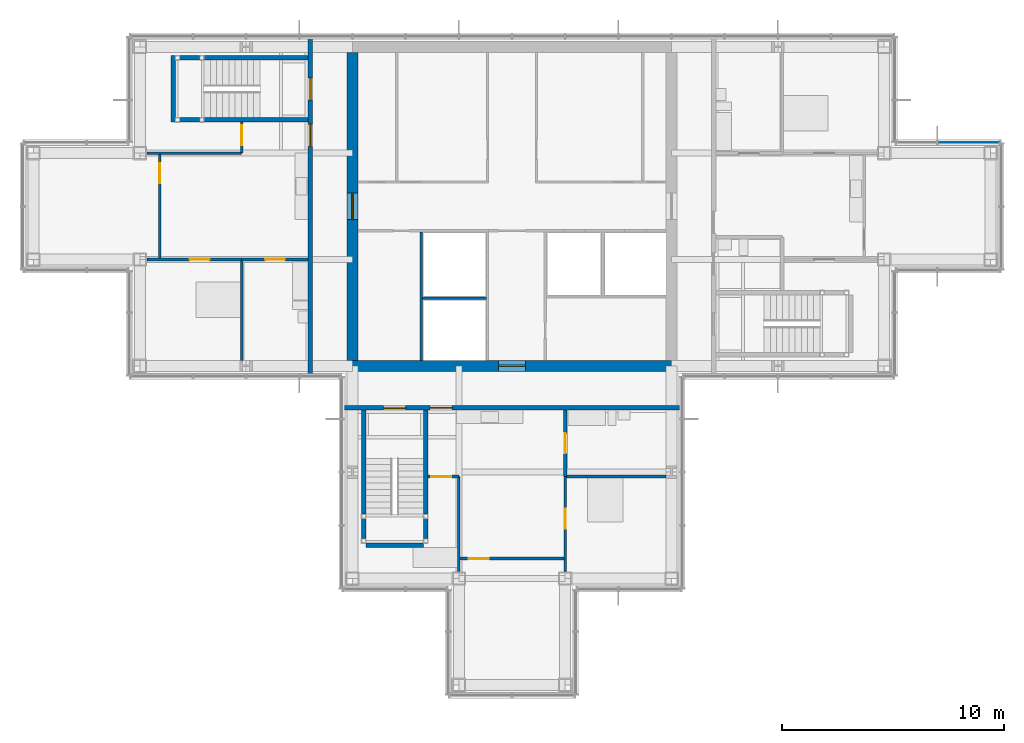
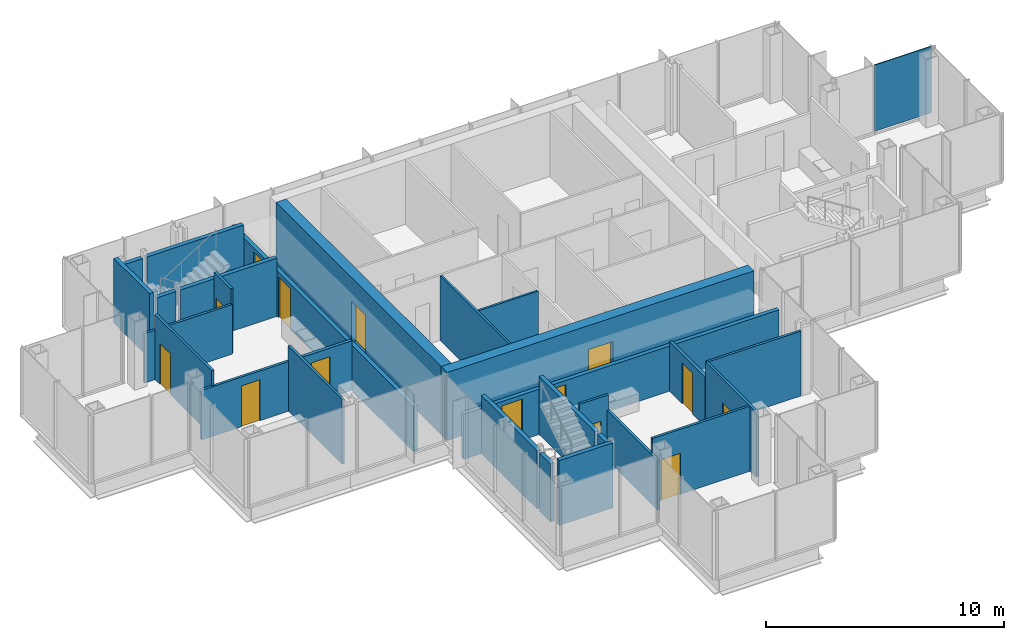
# One storey, part 10 of 15: 28 walls, 14 doors, 1 plate, 14 openings, 1 element without a shape of its own.
"""IFC4 building model written with IfcOpenShell, lengths in metres."""

from ifc_helpers import new_model, si_unit, direction, frame, frame_2d, origin, origin_2d, place, context, subcontext, project, spatial, rectangle, extrude, material, layer, layer_set, type_object, element, fill, aggregate, save


model = new_model("IFC4")

# Units and contexts
model_context = context("Model", 3, precision=1e-05, world=origin(), true_north=direction((0.0, 1.0)))
body_context = subcontext(model_context, "Body", "Model", "MODEL_VIEW")
ifc_project = project(units=[si_unit("LENGTHUNIT", "METRE"), si_unit("AREAUNIT", "SQUARE_METRE"), si_unit("VOLUMEUNIT", "CUBIC_METRE"), si_unit("PLANEANGLEUNIT", "RADIAN"), si_unit("MASSUNIT", "GRAM", prefix="KILO")], contexts=[model_context])

# Site, building, storey
site_placement = place(None, origin())
site = spatial("IfcSite", under=ifc_project, at=site_placement, CompositionType="ELEMENT")
building_placement = place(site_placement, origin())
building = spatial("IfcBuilding", under=site, at=building_placement, Name="Kvirike Care Tower", CompositionType="ELEMENT")
storey_placement = place(building_placement, frame((0.0, 0.0, 201.5)))
storey = spatial("IfcBuildingStorey", under=building, at=storey_placement, Name="L55", CompositionType="ELEMENT", Elevation=201.5)

# Curtain wall, plate
ifc_material_1 = material(Name="Anodised aluminium stick system", Category="aluminium")
curtain_wall_type = type_object("IfcCurtainWallType", Name="CW-D STICK CURTAIN WALL", PredefinedType="NOTDEFINED", material=ifc_material_1)
curtain_wall_placement = place(storey_placement, origin())
curtain_wall = element("IfcCurtainWall", 1, at=curtain_wall_placement, inside=storey, type_object=curtain_wall_type, Name="Curtain wall L55 face 5", PredefinedType="NOTDEFINED")
ifc_material_2 = material(Name="Tinted double glazed unit", Category="glass")
ifc_layer_1 = layer(ifc_material_2, 0.0439453125)
ifc_layer_set_1 = layer_set([ifc_layer_1], Name="TINTED VISION PANEL 44")
plate_type = type_object("IfcPlateType", Name="TINTED VISION PANEL 44", PredefinedType="CURTAIN_PANEL", material=ifc_layer_set_1)
plate_placement = place(storey_placement, frame((42.2236328125, 38.8798828125, 0.10009765625), z_axis=(0.0, 0.0, 1.0), x_axis=(-1.0, 0.0, 0.0)))
plate = element("IfcPlate", 2, at=plate_placement, type_object=plate_type, Name="CW-D panel L55 face 5.1", PredefinedType="CURTAIN_PANEL", context=body_context, shape_type="SweptSolid", body=[
    extrude(rectangle(XDim=2.782470703125, YDim=0.0439453125, at=origin_2d()), origin(), (0.0, 0.0, 1.0), 3.39990234375),
])
aggregate(curtain_wall, [plate])

# Wall, opening, door
ifc_material_3 = material(Name="Moisture-resistant board partition", Category="gypsum")
ifc_layer_2 = layer(ifc_material_3, 0.14990234375)
ifc_layer_set_2 = layer_set([ifc_layer_2], Name="BATHROOM WALL 150")
wall_type_1 = type_object("IfcWallType", Name="BATHROOM WALL 150", PredefinedType="PARTITIONING", material=ifc_layer_set_2)
wall_1_placement = place(storey_placement, frame((9.39990234375, 33.60009765625, 0.0), z_axis=(0.0, 0.0, 1.0), x_axis=(1.0, 0.0, 0.0)))
wall_1 = element("IfcWall", 3, at=wall_1_placement, inside=storey, type_object=wall_type_1, Name="Bathroom Wall 150 L55", PredefinedType="PARTITIONING", context=body_context, shape_type="SweptSolid", body=[
    extrude(rectangle(XDim=3.0, YDim=0.14990234375, at=frame_2d((1.5, 0.0))), origin(), (0.0, 0.0, 1.0), 2.550048828125),
])
opening_1_placement = place(wall_1_placement, frame((1.050048828125, 0.0, 0.0)))
opening_1 = element("IfcOpeningElement", 4, at=opening_1_placement, cuts=wall_1, Name="Opening 55-001", PredefinedType="OPENING", context=body_context, shape_type="SweptSolid", body=[
    extrude(rectangle(XDim=0.89990234375, YDim=2.10009765625, at=frame_2d((0.449951171875, 1.050048828125))), frame((0.0, 0.08544921875, 0.0), z_axis=(0.0, -1.0, 0.0), x_axis=(1.0, 0.0, 0.0)), (0.0, 0.0, 1.0), 0.1708984375),
])
ifc_material_4 = material(Name="Timber door set", Category="wood")
door_type_1 = type_object("IfcDoorType", Name="BATHROOM DOOR 900", OperationType="SINGLE_SWING_RIGHT", PredefinedType="DOOR", material=ifc_material_4)
door_1_placement = place(opening_1_placement, frame((0.89990234375, 0.0, 0.0), z_axis=(0.0, 0.0, 1.0), x_axis=(-1.0, 0.0, 0.0)))
door_1 = element("IfcDoor", 5, at=door_1_placement, inside=storey, type_object=door_type_1, Name="Bathroom door", OperationType="SINGLE_SWING_RIGHT", OverallHeight=2.10009765625, OverallWidth=0.89990234375, PredefinedType="DOOR", context=body_context, shape_type="SweptSolid", body=[
    extrude(rectangle(XDim=0.89990234375, YDim=2.10009765625, at=frame_2d((0.449951171875, 1.050048828125))), frame((0.0, 0.02197265625, 0.0), z_axis=(0.0, -1.0, 0.0), x_axis=(1.0, 0.0, 0.0)), (0.0, 0.0, 1.0), 0.0439453125),
])
fill(opening_1, door_1)

wall_2_placement = place(storey_placement, frame((24.0, 23.800048828125, 0.0), z_axis=(0.0, 0.0, 1.0), x_axis=(0.0, 1.0, 0.0)))
wall_2 = element("IfcWall", 6, at=wall_2_placement, inside=storey, type_object=wall_type_1, Name="Bathroom Wall 150 L55", PredefinedType="PARTITIONING", context=body_context, shape_type="SweptSolid", body=[
    extrude(rectangle(XDim=3.0, YDim=0.14990234375, at=frame_2d((1.5, 0.0))), origin(), (0.0, 0.0, 1.0), 2.550048828125),
])
opening_2_placement = place(wall_2_placement, frame((1.050048828125, 0.0, 0.0)))
opening_2 = element("IfcOpeningElement", 7, at=opening_2_placement, cuts=wall_2, Name="Opening 55-007", PredefinedType="OPENING", context=body_context, shape_type="SweptSolid", body=[
    extrude(rectangle(XDim=0.89990234375, YDim=2.10009765625, at=frame_2d((0.449951171875, 1.050048828125))), frame((0.0, 0.08544921875, 0.0), z_axis=(0.0, -1.0, 0.0), x_axis=(1.0, 0.0, 0.0)), (0.0, 0.0, 1.0), 0.1708984375),
])
door_2_placement = place(opening_2_placement, frame((0.89990234375, 0.0, 0.0), z_axis=(0.0, 0.0, 1.0), x_axis=(-1.0, 0.0, 0.0)))
door_2 = element("IfcDoor", 8, at=door_2_placement, inside=storey, type_object=door_type_1, Name="Bathroom door", OperationType="SINGLE_SWING_LEFT", OverallHeight=2.10009765625, OverallWidth=0.89990234375, PredefinedType="DOOR", context=body_context, shape_type="SweptSolid", body=[
    extrude(rectangle(XDim=0.89990234375, YDim=2.10009765625, at=frame_2d((0.449951171875, 1.050048828125))), frame((0.0, 0.02197265625, 0.0), z_axis=(0.0, -1.0, 0.0), x_axis=(1.0, 0.0, 0.0)), (0.0, 0.0, 1.0), 0.0439453125),
])
fill(opening_2, door_2)

ifc_material_5 = material(Name="Concrete C40/50", Category="concrete")
ifc_layer_3 = layer(ifc_material_5, 0.5)
ifc_layer_set_3 = layer_set([ifc_layer_3], Name="CORE WALL 500 C40-50")
wall_type_2 = type_object("IfcWallType", Name="CORE WALL 500 C40-50", PredefinedType="SHEAR", material=ifc_layer_set_3)
wall_3_placement = place(storey_placement, frame((14.14990234375, 28.800048828125, -0.169921875), z_axis=(0.0, 0.0, 1.0), x_axis=(1.0, 0.0, 0.0)))
wall_3 = element("IfcWall", 9, at=wall_3_placement, inside=storey, type_object=wall_type_2, Name="Core wall S L55", PredefinedType="SHEAR", context=body_context, shape_type="SweptSolid", body=[
    extrude(rectangle(XDim=14.900146484375, YDim=0.5, at=frame_2d((7.4501953125, 0.0))), origin(), (0.0, 0.0, 1.0), 3.5),
])
opening_3_placement = place(wall_3_placement, frame((6.85009765625, 0.0, 0.169921875)))
opening_3 = element("IfcOpeningElement", 10, at=opening_3_placement, cuts=wall_3, Name="Opening 55-033", PredefinedType="OPENING", context=body_context, shape_type="SweptSolid", body=[
    extrude(rectangle(XDim=1.199951171875, YDim=2.10009765625, at=frame_2d((0.60009765625, 1.050048828125))), frame((0.0, 0.260498046875, 0.0), z_axis=(0.0, -1.0, 0.0), x_axis=(1.0, 0.0, 0.0)), (0.0, 0.0, 1.0), 0.52099609375),
])
ifc_material_6 = material(Name="Timber door set", Category="wood")
door_type_2 = type_object("IfcDoorType", Name="CORE DOOR 1200", OperationType="SINGLE_SWING_LEFT", PredefinedType="DOOR", material=ifc_material_6)
door_3_placement = place(opening_3_placement, origin())
door_3 = element("IfcDoor", 11, at=door_3_placement, inside=storey, type_object=door_type_2, Name="Core door S L55", OperationType="SINGLE_SWING_LEFT", OverallHeight=2.10009765625, OverallWidth=1.199951171875, PredefinedType="DOOR", context=body_context, shape_type="SweptSolid", body=[
    extrude(rectangle(XDim=1.199951171875, YDim=2.10009765625, at=frame_2d((0.60009765625, 1.050048828125))), frame((0.0, 0.02685546875, 0.0), z_axis=(0.0, -1.0, 0.0), x_axis=(1.0, 0.0, 0.0)), (0.0, 0.0, 1.0), 0.053955078125),
])
fill(opening_3, door_3)

wall_4_placement = place(storey_placement, frame((14.39990234375, 42.949951171875, -0.169921875), z_axis=(0.0, 0.0, 1.0), x_axis=(0.0, -1.0, 0.0)))
wall_4 = element("IfcWall", 12, at=wall_4_placement, inside=storey, type_object=wall_type_2, Name="Core wall W L55", PredefinedType="SHEAR", context=body_context, shape_type="SweptSolid", body=[
    extrude(rectangle(XDim=13.89990234375, YDim=0.5, at=frame_2d((6.949951171875, 0.0))), origin(), (0.0, 0.0, 1.0), 3.5),
])
opening_4_placement = place(wall_4_placement, frame((6.35009765625, 0.0, 0.169921875)))
opening_4 = element("IfcOpeningElement", 13, at=opening_4_placement, cuts=wall_4, Name="Opening 55-034", PredefinedType="OPENING", context=body_context, shape_type="SweptSolid", body=[
    extrude(rectangle(XDim=1.199951171875, YDim=2.10009765625, at=frame_2d((0.60009765625, 1.050048828125))), frame((0.0, 0.260498046875, 0.0), z_axis=(0.0, -1.0, 0.0), x_axis=(1.0, 0.0, 0.0)), (0.0, 0.0, 1.0), 0.52099609375),
])
door_4_placement = place(opening_4_placement, origin())
door_4 = element("IfcDoor", 14, at=door_4_placement, inside=storey, type_object=door_type_2, Name="Core door W L55", OperationType="SINGLE_SWING_LEFT", OverallHeight=2.10009765625, OverallWidth=1.199951171875, PredefinedType="DOOR", context=body_context, shape_type="SweptSolid", body=[
    extrude(rectangle(XDim=1.199951171875, YDim=2.10009765625, at=frame_2d((0.60009765625, 1.050048828125))), frame((0.0, 0.02685546875, 0.0), z_axis=(0.0, -1.0, 0.0), x_axis=(1.0, 0.0, 0.0)), (0.0, 0.0, 1.0), 0.053955078125),
])
fill(opening_4, door_4)

# Wall, openings, doors
ifc_material_7 = material(Name="Plasterboard corridor wall", Category="gypsum")
ifc_layer_4 = layer(ifc_material_7, 0.199951171875)
ifc_layer_set_4 = layer_set([ifc_layer_4], Name="CORRIDOR WALL 200")
wall_type_3 = type_object("IfcWallType", Name="CORRIDOR WALL 200", PredefinedType="PARTITIONING", material=ifc_layer_set_4)
wall_5_placement = place(storey_placement, frame((12.5, 43.655029296875, 0.0), z_axis=(0.0, 0.0, 1.0), x_axis=(0.0, -1.0, 0.0)))
wall_5 = element("IfcWall", 15, at=wall_5_placement, inside=storey, type_object=wall_type_3, Name="Corridor Wall 200 L55", PredefinedType="PARTITIONING", context=body_context, shape_type="SweptSolid", body=[
    extrude(rectangle(XDim=15.31005859375, YDim=0.199951171875, at=frame_2d((7.655029296875, 0.0))), origin(), (0.0, 0.0, 1.0), 2.320068359375),
])
opening_5_placement = place(wall_5_placement, frame((1.85498046875, 0.0, 0.0)))
opening_5 = element("IfcOpeningElement", 16, at=opening_5_placement, cuts=wall_5, Name="Opening 55-005", PredefinedType="OPENING", context=body_context, shape_type="SweptSolid", body=[
    extrude(rectangle(XDim=1.0, YDim=2.10009765625, at=frame_2d((0.5, 1.050048828125))), frame((0.0, 0.110595703125, 0.0), z_axis=(0.0, -1.0, 0.0), x_axis=(1.0, 0.0, 0.0)), (0.0, 0.0, 1.0), 0.220947265625),
])
opening_6_placement = place(wall_5_placement, frame((3.955078125, 0.0, 0.0)))
opening_6 = element("IfcOpeningElement", 17, at=opening_6_placement, cuts=wall_5, Name="Opening 55-006", PredefinedType="OPENING", context=body_context, shape_type="SweptSolid", body=[
    extrude(rectangle(XDim=1.0, YDim=2.10009765625, at=frame_2d((0.5, 1.050048828125))), frame((0.0, 0.110595703125, 0.0), z_axis=(0.0, -1.0, 0.0), x_axis=(1.0, 0.0, 0.0)), (0.0, 0.0, 1.0), 0.220947265625),
])
ifc_material_8 = material(Name="Timber door set", Category="wood")
door_type_3 = type_object("IfcDoorType", Name="FLAT ENTRANCE DOOR 1000", OperationType="SINGLE_SWING_LEFT", PredefinedType="DOOR", material=ifc_material_8)
door_5_placement = place(opening_6_placement, frame((1.0, 0.0, 0.0), z_axis=(0.0, 0.0, 1.0), x_axis=(-1.0, 0.0, 0.0)))
door_5 = element("IfcDoor", 18, at=door_5_placement, inside=storey, type_object=door_type_3, Name="Two-room apartment entrance", OperationType="SINGLE_SWING_LEFT", OverallHeight=2.10009765625, OverallWidth=1.0, PredefinedType="DOOR", context=body_context, shape_type="SweptSolid", body=[
    extrude(rectangle(XDim=1.0, YDim=2.10009765625, at=frame_2d((0.5, 1.050048828125))), frame((0.0, 0.02685546875, 0.0), z_axis=(0.0, -1.0, 0.0), x_axis=(1.0, 0.0, 0.0)), (0.0, 0.0, 1.0), 0.053955078125),
])
fill(opening_6, door_5)
ifc_material_9 = material(Name="Timber door set", Category="wood")
door_type_4 = type_object("IfcDoorType", Name="STAIR DOOR 1000", OperationType="SINGLE_SWING_LEFT", PredefinedType="DOOR", material=ifc_material_9)
door_6_placement = place(opening_5_placement, frame((1.0, 0.0, 0.0), z_axis=(0.0, 0.0, 1.0), x_axis=(-1.0, 0.0, 0.0)))
door_6 = element("IfcDoor", 19, at=door_6_placement, inside=storey, type_object=door_type_4, Name="Stair 1 door", OperationType="SINGLE_SWING_LEFT", OverallHeight=2.10009765625, OverallWidth=1.0, PredefinedType="DOOR", context=body_context, shape_type="SweptSolid", body=[
    extrude(rectangle(XDim=1.0, YDim=2.10009765625, at=frame_2d((0.5, 1.050048828125))), frame((0.0, 0.031982421875, 0.0), z_axis=(0.0, -1.0, 0.0), x_axis=(1.0, 0.0, 0.0)), (0.0, 0.0, 1.0), 0.06396484375),
])
fill(opening_5, door_6)

wall_6_placement = place(storey_placement, frame((13.945068359375, 26.89990234375, 0.0), z_axis=(0.0, 0.0, 1.0), x_axis=(1.0, 0.0, 0.0)))
wall_6 = element("IfcWall", 20, at=wall_6_placement, inside=storey, type_object=wall_type_3, Name="Corridor Wall 200 L55", PredefinedType="PARTITIONING", context=body_context, shape_type="SweptSolid", body=[
    extrude(rectangle(XDim=15.309814453125, YDim=0.199951171875, at=frame_2d((7.65478515625, 0.0))), origin(), (0.0, 0.0, 1.0), 2.320068359375),
])
opening_7_placement = place(wall_6_placement, frame((1.85498046875, 0.0, 0.0)))
opening_7 = element("IfcOpeningElement", 21, at=opening_7_placement, cuts=wall_6, Name="Opening 55-011", PredefinedType="OPENING", context=body_context, shape_type="SweptSolid", body=[
    extrude(rectangle(XDim=1.0, YDim=2.10009765625, at=frame_2d((0.5, 1.050048828125))), frame((0.0, 0.110595703125, 0.0), z_axis=(0.0, -1.0, 0.0), x_axis=(1.0, 0.0, 0.0)), (0.0, 0.0, 1.0), 0.220947265625),
])
opening_8_placement = place(wall_6_placement, frame((3.955078125, 0.0, 0.0)))
opening_8 = element("IfcOpeningElement", 22, at=opening_8_placement, cuts=wall_6, Name="Opening 55-012", PredefinedType="OPENING", context=body_context, shape_type="SweptSolid", body=[
    extrude(rectangle(XDim=1.0, YDim=2.10009765625, at=frame_2d((0.5, 1.050048828125))), frame((0.0, 0.110595703125, 0.0), z_axis=(0.0, -1.0, 0.0), x_axis=(1.0, 0.0, 0.0)), (0.0, 0.0, 1.0), 0.220947265625),
])
door_7_placement = place(opening_8_placement, frame((1.0, 0.0, 0.0), z_axis=(0.0, 0.0, 1.0), x_axis=(-1.0, 0.0, 0.0)))
door_7 = element("IfcDoor", 23, at=door_7_placement, inside=storey, type_object=door_type_3, Name="Two-bedroom apartment entrance", OperationType="SINGLE_SWING_LEFT", OverallHeight=2.10009765625, OverallWidth=1.0, PredefinedType="DOOR", context=body_context, shape_type="SweptSolid", body=[
    extrude(rectangle(XDim=1.0, YDim=2.10009765625, at=frame_2d((0.5, 1.050048828125))), frame((0.0, 0.02685546875, 0.0), z_axis=(0.0, -1.0, 0.0), x_axis=(1.0, 0.0, 0.0)), (0.0, 0.0, 1.0), 0.053955078125),
])
fill(opening_8, door_7)
door_8_placement = place(opening_7_placement, frame((1.0, 0.0, 0.0), z_axis=(0.0, 0.0, 1.0), x_axis=(-1.0, 0.0, 0.0)))
door_8 = element("IfcDoor", 24, at=door_8_placement, inside=storey, type_object=door_type_4, Name="Stair 5 door", OperationType="SINGLE_SWING_LEFT", OverallHeight=2.10009765625, OverallWidth=1.0, PredefinedType="DOOR", context=body_context, shape_type="SweptSolid", body=[
    extrude(rectangle(XDim=1.0, YDim=2.10009765625, at=frame_2d((0.5, 1.050048828125))), frame((0.0, 0.031982421875, 0.0), z_axis=(0.0, -1.0, 0.0), x_axis=(1.0, 0.0, 0.0)), (0.0, 0.0, 1.0), 0.06396484375),
])
fill(opening_7, door_8)

# Wall, opening, door
ifc_material_10 = material(Name="Plasterboard partition", Category="gypsum")
ifc_layer_5 = layer(ifc_material_10, 0.1201171875)
ifc_layer_set_5 = layer_set([ifc_layer_5], Name="PARTITION 120")
wall_type_4 = type_object("IfcWallType", Name="PARTITION 120", PredefinedType="PARTITIONING", material=ifc_layer_set_5)
wall_7_placement = place(storey_placement, frame((9.39990234375, 39.800048828125, 0.0), z_axis=(0.0, 0.0, 1.0), x_axis=(0.0, -1.0, 0.0)))
wall_7 = element("IfcWall", 25, at=wall_7_placement, inside=storey, type_object=wall_type_4, Name="Partition 120 L55", PredefinedType="PARTITIONING", context=body_context, shape_type="SweptSolid", body=[
    extrude(rectangle(XDim=1.400146484375, YDim=0.1201171875, at=frame_2d((0.7001953125, 0.0))), origin(), (0.0, 0.0, 1.0), 3.330078125),
])
opening_9_placement = place(wall_7_placement, frame((0.14990234375, 0.0, 0.0)))
opening_9 = element("IfcOpeningElement", 26, at=opening_9_placement, cuts=wall_7, Name="Opening 55-002", PredefinedType="OPENING", context=body_context, shape_type="SweptSolid", body=[
    extrude(rectangle(XDim=0.89990234375, YDim=2.10009765625, at=frame_2d((0.449951171875, 1.050048828125))), frame((0.0, 0.070556640625, 0.0), z_axis=(0.0, -1.0, 0.0), x_axis=(1.0, 0.0, 0.0)), (0.0, 0.0, 1.0), 0.14111328125),
])
ifc_material_11 = material(Name="Timber door set", Category="wood")
door_type_5 = type_object("IfcDoorType", Name="INTERNAL DOOR 900", OperationType="SINGLE_SWING_LEFT", PredefinedType="DOOR", material=ifc_material_11)
door_9_placement = place(opening_9_placement, frame((0.89990234375, 0.0, 0.0), z_axis=(0.0, 0.0, 1.0), x_axis=(-1.0, 0.0, 0.0)))
door_9 = element("IfcDoor", 27, at=door_9_placement, inside=storey, type_object=door_type_5, Name="Apartment study door", OperationType="SINGLE_SWING_LEFT", OverallHeight=2.10009765625, OverallWidth=0.89990234375, PredefinedType="DOOR", context=body_context, shape_type="SweptSolid", body=[
    extrude(rectangle(XDim=0.89990234375, YDim=2.10009765625, at=frame_2d((0.449951171875, 1.050048828125))), frame((0.0, 0.02197265625, 0.0), z_axis=(0.0, -1.0, 0.0), x_axis=(1.0, 0.0, 0.0)), (0.0, 0.0, 1.0), 0.0439453125),
])
fill(opening_9, door_9)

wall_8_placement = place(storey_placement, frame((5.699951171875, 38.39990234375, 0.0), z_axis=(0.0, 0.0, 1.0), x_axis=(0.0, -1.0, 0.0)))
wall_8 = element("IfcWall", 28, at=wall_8_placement, inside=storey, type_object=wall_type_4, Name="Partition 120 L55", PredefinedType="PARTITIONING", context=body_context, shape_type="SweptSolid", body=[
    extrude(rectangle(XDim=4.7998046875, YDim=0.1201171875, at=frame_2d((2.39990234375, 0.0))), origin(), (0.0, 0.0, 1.0), 3.330078125),
])
opening_10_placement = place(wall_8_placement, frame((0.449951171875, 0.0, 0.0)))
opening_10 = element("IfcOpeningElement", 29, at=opening_10_placement, cuts=wall_8, Name="Opening 55-003", PredefinedType="OPENING", context=body_context, shape_type="SweptSolid", body=[
    extrude(rectangle(XDim=0.89990234375, YDim=2.10009765625, at=frame_2d((0.449951171875, 1.050048828125))), frame((0.0, 0.070556640625, 0.0), z_axis=(0.0, -1.0, 0.0), x_axis=(1.0, 0.0, 0.0)), (0.0, 0.0, 1.0), 0.14111328125),
])
door_10_placement = place(opening_10_placement, frame((0.89990234375, 0.0, 0.0), z_axis=(0.0, 0.0, 1.0), x_axis=(-1.0, 0.0, 0.0)))
door_10 = element("IfcDoor", 30, at=door_10_placement, inside=storey, type_object=door_type_5, Name="Apartment living room door", OperationType="SINGLE_SWING_LEFT", OverallHeight=2.10009765625, OverallWidth=0.89990234375, PredefinedType="DOOR", context=body_context, shape_type="SweptSolid", body=[
    extrude(rectangle(XDim=0.89990234375, YDim=2.10009765625, at=frame_2d((0.449951171875, 1.050048828125))), frame((0.0, 0.02197265625, 0.0), z_axis=(0.0, -1.0, 0.0), x_axis=(1.0, 0.0, 0.0)), (0.0, 0.0, 1.0), 0.0439453125),
])
fill(opening_10, door_10)

# Walls
wall_9_placement = place(storey_placement, frame((9.39990234375, 33.60009765625, 0.0), z_axis=(0.0, 0.0, 1.0), x_axis=(0.0, -1.0, 0.0)))
element("IfcWall", 31, at=wall_9_placement, inside=storey, type_object=wall_type_4, Name="Partition 120 L55", PredefinedType="PARTITIONING", context=body_context, shape_type="SweptSolid", body=[
    extrude(rectangle(XDim=4.552978515625, YDim=0.1201171875, at=frame_2d((2.2763671875, 0.0))), origin(), (0.0, 0.0, 1.0), 3.330078125),
])
wall_10_placement = place(storey_placement, frame((5.1201171875, 38.39990234375, 0.0), z_axis=(0.0, 0.0, 1.0), x_axis=(1.0, 0.0, 0.0)))
element("IfcWall", 32, at=wall_10_placement, inside=storey, type_object=wall_type_4, Name="Partition 120 L55", PredefinedType="PARTITIONING", context=body_context, shape_type="SweptSolid", body=[
    extrude(rectangle(XDim=4.27978515625, YDim=0.1201171875, at=frame_2d((2.139892578125, 0.0))), origin(), (0.0, 0.0, 1.0), 2.550048828125),
])

# Wall, opening, door
wall_11_placement = place(storey_placement, frame((5.1201171875, 33.60009765625, 0.0), z_axis=(0.0, 0.0, 1.0), x_axis=(1.0, 0.0, 0.0)))
wall_11 = element("IfcWall", 33, at=wall_11_placement, inside=storey, type_object=wall_type_4, Name="Partition 120 L55", PredefinedType="PARTITIONING", context=body_context, shape_type="SweptSolid", body=[
    extrude(rectangle(XDim=4.27978515625, YDim=0.1201171875, at=frame_2d((2.139892578125, 0.0))), origin(), (0.0, 0.0, 1.0), 2.550048828125),
])
opening_11_placement = place(wall_11_placement, frame((1.929931640625, 0.0, 0.0)))
opening_11 = element("IfcOpeningElement", 34, at=opening_11_placement, cuts=wall_11, Name="Opening 55-004", PredefinedType="OPENING", context=body_context, shape_type="SweptSolid", body=[
    extrude(rectangle(XDim=0.89990234375, YDim=2.10009765625, at=frame_2d((0.449951171875, 1.050048828125))), frame((0.0, 0.070556640625, 0.0), z_axis=(0.0, -1.0, 0.0), x_axis=(1.0, 0.0, 0.0)), (0.0, 0.0, 1.0), 0.14111328125),
])
door_11_placement = place(opening_11_placement, frame((0.89990234375, 0.0, 0.0), z_axis=(0.0, 0.0, 1.0), x_axis=(-1.0, 0.0, 0.0)))
door_11 = element("IfcDoor", 35, at=door_11_placement, inside=storey, type_object=door_type_5, Name="Connecting door", OperationType="SINGLE_SWING_RIGHT", OverallHeight=2.10009765625, OverallWidth=0.89990234375, PredefinedType="DOOR", context=body_context, shape_type="SweptSolid", body=[
    extrude(rectangle(XDim=0.89990234375, YDim=2.10009765625, at=frame_2d((0.449951171875, 1.050048828125))), frame((0.0, 0.02197265625, 0.0), z_axis=(0.0, -1.0, 0.0), x_axis=(1.0, 0.0, 0.0)), (0.0, 0.0, 1.0), 0.0439453125),
])
fill(opening_11, door_11)

wall_12_placement = place(storey_placement, frame((17.800048828125, 23.800048828125, 0.0), z_axis=(0.0, 0.0, 1.0), x_axis=(1.0, 0.0, 0.0)))
wall_12 = element("IfcWall", 36, at=wall_12_placement, inside=storey, type_object=wall_type_4, Name="Partition 120 L55", PredefinedType="PARTITIONING", context=body_context, shape_type="SweptSolid", body=[
    extrude(rectangle(XDim=1.39990234375, YDim=0.1201171875, at=frame_2d((0.699951171875, 0.0))), origin(), (0.0, 0.0, 1.0), 3.330078125),
])
opening_12_placement = place(wall_12_placement, frame((0.14990234375, 0.0, 0.0)))
opening_12 = element("IfcOpeningElement", 37, at=opening_12_placement, cuts=wall_12, Name="Opening 55-008", PredefinedType="OPENING", context=body_context, shape_type="SweptSolid", body=[
    extrude(rectangle(XDim=0.89990234375, YDim=2.10009765625, at=frame_2d((0.449951171875, 1.050048828125))), frame((0.0, 0.070556640625, 0.0), z_axis=(0.0, -1.0, 0.0), x_axis=(1.0, 0.0, 0.0)), (0.0, 0.0, 1.0), 0.14111328125),
])
door_12_placement = place(opening_12_placement, frame((0.89990234375, 0.0, 0.0), z_axis=(0.0, 0.0, 1.0), x_axis=(-1.0, 0.0, 0.0)))
door_12 = element("IfcDoor", 38, at=door_12_placement, inside=storey, type_object=door_type_5, Name="Apartment bedroom door", OperationType="SINGLE_SWING_LEFT", OverallHeight=2.10009765625, OverallWidth=0.89990234375, PredefinedType="DOOR", context=body_context, shape_type="SweptSolid", body=[
    extrude(rectangle(XDim=0.89990234375, YDim=2.10009765625, at=frame_2d((0.449951171875, 1.050048828125))), frame((0.0, 0.02197265625, 0.0), z_axis=(0.0, -1.0, 0.0), x_axis=(1.0, 0.0, 0.0)), (0.0, 0.0, 1.0), 0.0439453125),
])
fill(opening_12, door_12)

wall_13_placement = place(storey_placement, frame((19.199951171875, 20.10009765625, 0.0), z_axis=(0.0, 0.0, 1.0), x_axis=(1.0, 0.0, 0.0)))
wall_13 = element("IfcWall", 39, at=wall_13_placement, inside=storey, type_object=wall_type_4, Name="Partition 120 L55", PredefinedType="PARTITIONING", context=body_context, shape_type="SweptSolid", body=[
    extrude(rectangle(XDim=4.800048828125, YDim=0.1201171875, at=frame_2d((2.39990234375, 0.0))), origin(), (0.0, 0.0, 1.0), 3.330078125),
])
opening_13_placement = place(wall_13_placement, frame((0.449951171875, 0.0, 0.0)))
opening_13 = element("IfcOpeningElement", 40, at=opening_13_placement, cuts=wall_13, Name="Opening 55-009", PredefinedType="OPENING", context=body_context, shape_type="SweptSolid", body=[
    extrude(rectangle(XDim=0.89990234375, YDim=2.10009765625, at=frame_2d((0.449951171875, 1.050048828125))), frame((0.0, 0.070556640625, 0.0), z_axis=(0.0, -1.0, 0.0), x_axis=(1.0, 0.0, 0.0)), (0.0, 0.0, 1.0), 0.14111328125),
])
door_13_placement = place(opening_13_placement, frame((0.89990234375, 0.0, 0.0), z_axis=(0.0, 0.0, 1.0), x_axis=(-1.0, 0.0, 0.0)))
door_13 = element("IfcDoor", 41, at=door_13_placement, inside=storey, type_object=door_type_5, Name="Apartment living room door", OperationType="SINGLE_SWING_LEFT", OverallHeight=2.10009765625, OverallWidth=0.89990234375, PredefinedType="DOOR", context=body_context, shape_type="SweptSolid", body=[
    extrude(rectangle(XDim=0.89990234375, YDim=2.10009765625, at=frame_2d((0.449951171875, 1.050048828125))), frame((0.0, 0.02197265625, 0.0), z_axis=(0.0, -1.0, 0.0), x_axis=(1.0, 0.0, 0.0)), (0.0, 0.0, 1.0), 0.0439453125),
])
fill(opening_13, door_13)

# Walls
wall_14_placement = place(storey_placement, frame((24.0, 23.800048828125, 0.0), z_axis=(0.0, 0.0, 1.0), x_axis=(1.0, 0.0, 0.0)))
element("IfcWall", 42, at=wall_14_placement, inside=storey, type_object=wall_type_4, Name="Partition 120 L55", PredefinedType="PARTITIONING", context=body_context, shape_type="SweptSolid", body=[
    extrude(rectangle(XDim=4.552978515625, YDim=0.1201171875, at=frame_2d((2.2763671875, 0.0))), origin(), (0.0, 0.0, 1.0), 3.330078125),
])
wall_15_placement = place(storey_placement, frame((19.199951171875, 19.52001953125, 0.0), z_axis=(0.0, 0.0, 1.0), x_axis=(0.0, 1.0, 0.0)))
element("IfcWall", 43, at=wall_15_placement, inside=storey, type_object=wall_type_4, Name="Partition 120 L55", PredefinedType="PARTITIONING", context=body_context, shape_type="SweptSolid", body=[
    extrude(rectangle(XDim=4.280029296875, YDim=0.1201171875, at=frame_2d((2.14013671875, 0.0))), origin(), (0.0, 0.0, 1.0), 2.550048828125),
])

# Wall, opening, door
wall_16_placement = place(storey_placement, frame((24.0, 19.52001953125, 0.0), z_axis=(0.0, 0.0, 1.0), x_axis=(0.0, 1.0, 0.0)))
wall_16 = element("IfcWall", 44, at=wall_16_placement, inside=storey, type_object=wall_type_4, Name="Partition 120 L55", PredefinedType="PARTITIONING", context=body_context, shape_type="SweptSolid", body=[
    extrude(rectangle(XDim=4.280029296875, YDim=0.1201171875, at=frame_2d((2.14013671875, 0.0))), origin(), (0.0, 0.0, 1.0), 3.330078125),
])
opening_14_placement = place(wall_16_placement, frame((1.929931640625, 0.0, 0.0)))
opening_14 = element("IfcOpeningElement", 45, at=opening_14_placement, cuts=wall_16, Name="Opening 55-010", PredefinedType="OPENING", context=body_context, shape_type="SweptSolid", body=[
    extrude(rectangle(XDim=0.89990234375, YDim=2.10009765625, at=frame_2d((0.449951171875, 1.050048828125))), frame((0.0, 0.070556640625, 0.0), z_axis=(0.0, -1.0, 0.0), x_axis=(1.0, 0.0, 0.0)), (0.0, 0.0, 1.0), 0.14111328125),
])
door_14_placement = place(opening_14_placement, frame((0.89990234375, 0.0, 0.0), z_axis=(0.0, 0.0, 1.0), x_axis=(-1.0, 0.0, 0.0)))
door_14 = element("IfcDoor", 46, at=door_14_placement, inside=storey, type_object=door_type_5, Name="Connecting door", OperationType="SINGLE_SWING_RIGHT", OverallHeight=2.10009765625, OverallWidth=0.89990234375, PredefinedType="DOOR", context=body_context, shape_type="SweptSolid", body=[
    extrude(rectangle(XDim=0.89990234375, YDim=2.10009765625, at=frame_2d((0.449951171875, 1.050048828125))), frame((0.0, 0.02197265625, 0.0), z_axis=(0.0, -1.0, 0.0), x_axis=(1.0, 0.0, 0.0)), (0.0, 0.0, 1.0), 0.0439453125),
])
fill(opening_14, door_14)

# Walls
ifc_material_12 = material(Name="Gypsum shaft wall system", Category="gypsum")
ifc_layer_6 = layer(ifc_material_12, 0.10009765625)
ifc_layer_set_6 = layer_set([ifc_layer_6], Name="SHAFT WALL 100")
wall_type_5 = type_object("IfcWallType", Name="SHAFT WALL 100", PredefinedType="SOLIDWALL", material=ifc_layer_set_6)
wall_17_placement = place(storey_placement, frame((17.5, 29.050048828125, 0.0), z_axis=(0.0, 0.0, 1.0), x_axis=(0.0, 1.0, 0.0)))
element("IfcWall", 47, at=wall_17_placement, inside=storey, type_object=wall_type_5, Name="Shaft Wall 100 L55", PredefinedType="SOLIDWALL", context=body_context, shape_type="SweptSolid", body=[
    extrude(rectangle(XDim=5.800048828125, YDim=0.10009765625, at=frame_2d((2.89990234375, 0.0))), origin(), (0.0, 0.0, 1.0), 3.330078125),
])
wall_18_placement = place(storey_placement, frame((17.550048828125, 31.85009765625, 0.0), z_axis=(0.0, 0.0, 1.0), x_axis=(1.0, 0.0, 0.0)))
element("IfcWall", 48, at=wall_18_placement, inside=storey, type_object=wall_type_5, Name="Shaft Wall 100 L55", PredefinedType="SOLIDWALL", context=body_context, shape_type="SweptSolid", body=[
    extrude(rectangle(XDim=2.89990234375, YDim=0.10009765625, at=frame_2d((1.449951171875, 0.0))), origin(), (0.0, 0.0, 1.0), 3.330078125),
])
ifc_material_13 = material(Name="Concrete C40/50", Category="concrete")
ifc_layer_7 = layer(ifc_material_13, 0.199951171875)
ifc_layer_set_7 = layer_set([ifc_layer_7], Name="STAIR WALL 200")
wall_type_6 = type_object("IfcWallType", Name="STAIR WALL 200", PredefinedType="SOLIDWALL", material=ifc_layer_set_7)
wall_19_placement = place(storey_placement, frame((6.60009765625, 42.699951171875, 0.0), z_axis=(0.0, 0.0, 1.0), x_axis=(1.0, 0.0, 0.0)))
element("IfcWall", 49, at=wall_19_placement, inside=storey, type_object=wall_type_6, Name="Stair Wall 200 L55", PredefinedType="SOLIDWALL", context=body_context, shape_type="SweptSolid", body=[
    extrude(rectangle(XDim=0.89990234375, YDim=0.199951171875, at=frame_2d((0.449951171875, 0.0))), origin(), (0.0, 0.0, 1.0), 2.989990234375),
])
wall_20_placement = place(storey_placement, frame((7.699951171875, 42.699951171875, 0.0), z_axis=(0.0, 0.0, 1.0), x_axis=(1.0, 0.0, 0.0)))
element("IfcWall", 50, at=wall_20_placement, inside=storey, type_object=wall_type_6, Name="Stair Wall 200 L55", PredefinedType="SOLIDWALL", context=body_context, shape_type="SweptSolid", body=[
    extrude(rectangle(XDim=4.699951171875, YDim=0.199951171875, at=frame_2d((2.35009765625, 0.0))), origin(), (0.0, 0.0, 1.0), 2.989990234375),
])
wall_21_placement = place(storey_placement, frame((6.60009765625, 39.89990234375, 0.0), z_axis=(0.0, 0.0, 1.0), x_axis=(1.0, 0.0, 0.0)))
element("IfcWall", 51, at=wall_21_placement, inside=storey, type_object=wall_type_6, Name="Stair Wall 200 L55", PredefinedType="SOLIDWALL", context=body_context, shape_type="SweptSolid", body=[
    extrude(rectangle(XDim=0.89990234375, YDim=0.199951171875, at=frame_2d((0.449951171875, 0.0))), origin(), (0.0, 0.0, 1.0), 2.989990234375),
])
wall_22_placement = place(storey_placement, frame((7.699951171875, 39.89990234375, 0.0), z_axis=(0.0, 0.0, 1.0), x_axis=(1.0, 0.0, 0.0)))
element("IfcWall", 52, at=wall_22_placement, inside=storey, type_object=wall_type_6, Name="Stair Wall 200 L55", PredefinedType="SOLIDWALL", context=body_context, shape_type="SweptSolid", body=[
    extrude(rectangle(XDim=4.699951171875, YDim=0.199951171875, at=frame_2d((2.35009765625, 0.0))), origin(), (0.0, 0.0, 1.0), 2.989990234375),
])
wall_23_placement = place(storey_placement, frame((6.300048828125, 42.800048828125, 0.0), z_axis=(0.0, 0.0, 1.0), x_axis=(0.0, -1.0, 0.0)))
element("IfcWall", 53, at=wall_23_placement, inside=storey, type_object=wall_type_6, Name="Stair Wall 200 L55", PredefinedType="SOLIDWALL", context=body_context, shape_type="SweptSolid", body=[
    extrude(rectangle(XDim=3.0, YDim=0.199951171875, at=frame_2d((1.5, 0.0))), origin(), (0.0, 0.0, 1.0), 3.330078125),
])
wall_24_placement = place(storey_placement, frame((14.89990234375, 21.0, 0.0), z_axis=(0.0, 0.0, 1.0), x_axis=(0.0, 1.0, 0.0)))
element("IfcWall", 54, at=wall_24_placement, inside=storey, type_object=wall_type_6, Name="Stair Wall 200 L55", PredefinedType="SOLIDWALL", context=body_context, shape_type="SweptSolid", body=[
    extrude(rectangle(XDim=0.89990234375, YDim=0.199951171875, at=frame_2d((0.449951171875, 0.0))), origin(), (0.0, 0.0, 1.0), 2.989990234375),
])
wall_25_placement = place(storey_placement, frame((14.89990234375, 22.10009765625, 0.0), z_axis=(0.0, 0.0, 1.0), x_axis=(0.0, 1.0, 0.0)))
element("IfcWall", 55, at=wall_25_placement, inside=storey, type_object=wall_type_6, Name="Stair Wall 200 L55", PredefinedType="SOLIDWALL", context=body_context, shape_type="SweptSolid", body=[
    extrude(rectangle(XDim=4.699951171875, YDim=0.199951171875, at=frame_2d((2.35009765625, 0.0))), origin(), (0.0, 0.0, 1.0), 2.989990234375),
])
wall_26_placement = place(storey_placement, frame((17.699951171875, 21.0, 0.0), z_axis=(0.0, 0.0, 1.0), x_axis=(0.0, 1.0, 0.0)))
element("IfcWall", 56, at=wall_26_placement, inside=storey, type_object=wall_type_6, Name="Stair Wall 200 L55", PredefinedType="SOLIDWALL", context=body_context, shape_type="SweptSolid", body=[
    extrude(rectangle(XDim=0.89990234375, YDim=0.199951171875, at=frame_2d((0.449951171875, 0.0))), origin(), (0.0, 0.0, 1.0), 2.989990234375),
])
wall_27_placement = place(storey_placement, frame((17.699951171875, 22.10009765625, 0.0), z_axis=(0.0, 0.0, 1.0), x_axis=(0.0, 1.0, 0.0)))
element("IfcWall", 57, at=wall_27_placement, inside=storey, type_object=wall_type_6, Name="Stair Wall 200 L55", PredefinedType="SOLIDWALL", context=body_context, shape_type="SweptSolid", body=[
    extrude(rectangle(XDim=4.699951171875, YDim=0.199951171875, at=frame_2d((2.35009765625, 0.0))), origin(), (0.0, 0.0, 1.0), 2.989990234375),
])
wall_28_placement = place(storey_placement, frame((15.0, 20.699951171875, 0.0), z_axis=(0.0, 0.0, 1.0), x_axis=(1.0, 0.0, 0.0)))
element("IfcWall", 58, at=wall_28_placement, inside=storey, type_object=wall_type_6, Name="Stair Wall 200 L55", PredefinedType="SOLIDWALL", context=body_context, shape_type="SweptSolid", body=[
    extrude(rectangle(XDim=2.60009765625, YDim=0.199951171875, at=frame_2d((1.300048828125, 0.0))), origin(), (0.0, 0.0, 1.0), 3.330078125),
])

save(model, "model.ifc")
